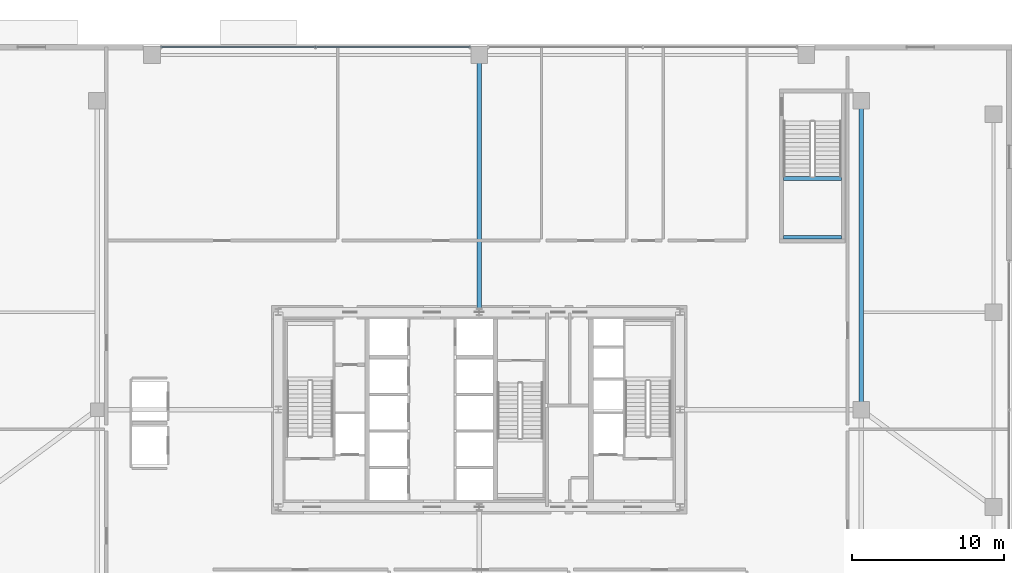
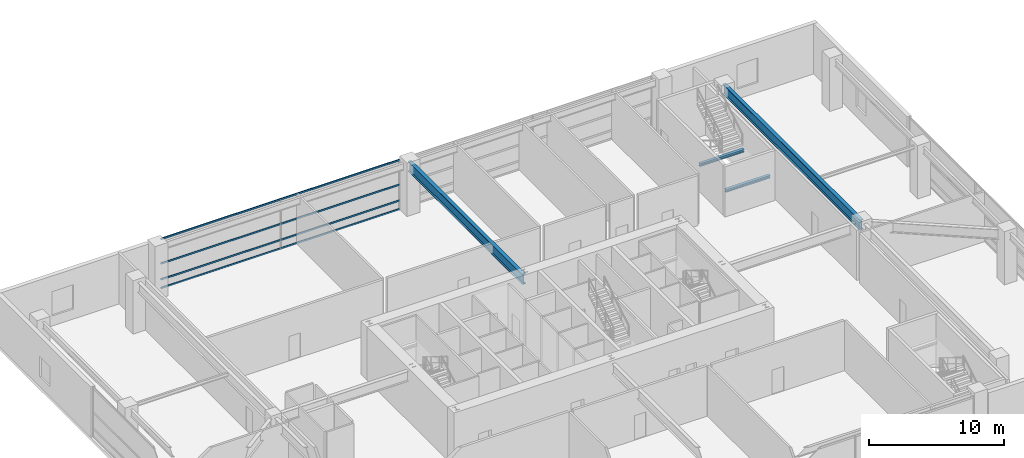
# One storey, part 20 of 37: 4 beams, 4 members, 1 element without a shape of its own.
"""IFC4 building model written with IfcOpenShell, lengths in metres."""

from ifc_helpers import new_model, si_unit, direction, frame, origin, origin_2d, place, context, subcontext, project, spatial, hollow_rectangle, i_section, extrude, source, transform, mapped, material, layer, layer_set, material_profile, profile_set, type_object, element, aggregate, save


model = new_model("IFC4")

# Units and contexts
model_context = context("Model", 3, precision=1e-05, world=origin(), true_north=direction((0.0, 1.0)))
body_context = subcontext(model_context, "Body", "Model", "MODEL_VIEW")
ifc_project = project(units=[si_unit("LENGTHUNIT", "METRE"), si_unit("AREAUNIT", "SQUARE_METRE"), si_unit("VOLUMEUNIT", "CUBIC_METRE"), si_unit("PLANEANGLEUNIT", "RADIAN"), si_unit("MASSUNIT", "GRAM", prefix="KILO"), si_unit("THERMODYNAMICTEMPERATUREUNIT", "KELVIN"), si_unit("POWERUNIT", "WATT")], contexts=[model_context])

# Site, building, storey
site_placement = place(None, origin())
site = spatial("IfcSite", under=ifc_project, at=site_placement, CompositionType="ELEMENT")
building_placement = place(site_placement, origin())
building = spatial("IfcBuilding", under=site, at=building_placement, Name="Yuzanri Waterfront Tower", CompositionType="ELEMENT")
storey_placement = place(building_placement, frame((0.0, 0.0, 5.39990234375)))
storey = spatial("IfcBuildingStorey", under=building, at=storey_placement, Name="L02", CompositionType="ELEMENT", Elevation=5.39990234375)

# Beams
ifc_material_1 = material(Name="Steel Q355B", Category="steel")
ifc_material_profile_1 = material_profile(ifc_material_1, i_section(OverallWidth=0.300048828125, OverallDepth=0.89990234375, WebThickness=0.01611328125, FlangeThickness=0.028076171875, at=origin_2d()), Name="HN 900x300x16x28")
ifc_profile_set_1 = profile_set([ifc_material_profile_1], Name="Steel Q355B")
beam_type_1 = type_object("IfcBeamType", Name="Primary Podium Girder Q355B HN 900x300", PredefinedType="BEAM", material=ifc_profile_set_1)
shared_shape_1 = source(origin(), body_context, "Body", "SweptSolid", [
    extrude(i_section(OverallWidth=0.300048828125, OverallDepth=0.89990234375, WebThickness=0.01611328125, FlangeThickness=0.028076171875, at=origin_2d()), origin(), (0.0, 0.0, 1.0), 20.300048828125),
])
beam_1_placement = place(storey_placement, frame((62.10009765625, 25.800048828125, 4.070068359375), z_axis=(0.0, 1.0, 0.0), x_axis=(-1.0, 0.0, 0.0)))
element("IfcBeam", 1, at=beam_1_placement, inside=storey, type_object=beam_type_1, Name="L02 Podium East Spine N", PredefinedType="BEAM", context=body_context, shape_type="MappedRepresentation", body=[
    mapped(shared_shape_1, transform((0.0, 0.0, 0.0), scale=1.0)),
])
shared_shape_2 = source(origin(), body_context, "Body", "SweptSolid", [
    extrude(i_section(OverallWidth=0.300048828125, OverallDepth=0.89990234375, WebThickness=0.01611328125, FlangeThickness=0.028076171875, at=origin_2d()), origin(), (0.0, 0.0, 1.0), 16.900146484375),
])
beam_2_placement = place(storey_placement, frame((37.0, 32.199951171875, 4.070068359375), z_axis=(0.0, 1.0, 0.0), x_axis=(-1.0, 0.0, 0.0)))
element("IfcBeam", 2, at=beam_2_placement, inside=storey, type_object=beam_type_1, Name="L02 North Core Link Girder", PredefinedType="BEAM", context=body_context, shape_type="MappedRepresentation", body=[
    mapped(shared_shape_2, transform((0.0, 0.0, 0.0), scale=1.0)),
])

# Curtain wall, members
ifc_material_2 = material(Name="Anodized Architectural Bronze", Category="metal")
ifc_layer = layer(ifc_material_2, 0.159912109375)
ifc_layer_set = layer_set([ifc_layer], Name="Anodized Architectural Bronze")
curtain_wall_type = type_object("IfcCurtainWallType", Name="Anodized Bronze Podium Waterfront Double-Height Unitized Curtain Wall 8400", PredefinedType="NOTDEFINED", material=ifc_layer_set)
curtain_wall_placement = place(storey_placement, origin())
curtain_wall = element("IfcCurtainWall", 3, at=curtain_wall_placement, inside=storey, type_object=curtain_wall_type, Name="L02 Curtain Wall CW-L02-N1", PredefinedType="NOTDEFINED")
ifc_material_3 = material(Name="Anodized Architectural Bronze", Category="metal")
ifc_material_profile_2 = material_profile(ifc_material_3, hollow_rectangle(XDim=0.074951171875, YDim=0.14990234375, WallThickness=0.00390625, at=origin_2d()), Name="CWT 75x150")
ifc_profile_set_2 = profile_set([ifc_material_profile_2], Name="Anodized Architectural Bronze")
member_type = type_object("IfcMemberType", Name="Anodized Bronze Primary Curtain-Wall Transom 75x150", PredefinedType="USERDEFINED", material=ifc_profile_set_2)
shared_shape_3 = source(origin(), body_context, "Body", "SweptSolid", [
    extrude(hollow_rectangle(XDim=0.074951171875, YDim=0.14990234375, WallThickness=0.00390625, at=origin_2d()), origin(), (0.0, 0.0, 1.0), 20.35986328125),
])
member_1_placement = place(storey_placement, frame((16.070068359375, 49.6201171875, 0.050048828125), z_axis=(1.0, 0.0, 0.0), x_axis=(0.0, 1.0, 0.0)))
member_1 = element("IfcMember", 4, at=member_1_placement, type_object=member_type, Name="CW-L02-N1 Transom 1", ObjectType="TRANSOM", PredefinedType="USERDEFINED", context=body_context, shape_type="MappedRepresentation", body=[
    mapped(shared_shape_3, transform((0.0, 0.0, 0.0), scale=1.0)),
])
member_2_placement = place(storey_placement, frame((16.070068359375, 49.6201171875, 0.820068359375), z_axis=(1.0, 0.0, 0.0), x_axis=(0.0, 1.0, 0.0)))
member_2 = element("IfcMember", 5, at=member_2_placement, type_object=member_type, Name="CW-L02-N1 Transom 2", ObjectType="TRANSOM", PredefinedType="USERDEFINED", context=body_context, shape_type="MappedRepresentation", body=[
    mapped(shared_shape_3, transform((0.0, 0.0, 0.0), scale=1.0)),
])
member_3_placement = place(storey_placement, frame((16.070068359375, 49.6201171875, 2.260009765625), z_axis=(1.0, 0.0, 0.0), x_axis=(0.0, 1.0, 0.0)))
member_3 = element("IfcMember", 6, at=member_3_placement, type_object=member_type, Name="CW-L02-N1 Transom 3", ObjectType="TRANSOM", PredefinedType="USERDEFINED", context=body_context, shape_type="MappedRepresentation", body=[
    mapped(shared_shape_3, transform((0.0, 0.0, 0.0), scale=1.0)),
])
member_4_placement = place(storey_placement, frame((16.070068359375, 49.6201171875, 4.47021484375), z_axis=(1.0, 0.0, 0.0), x_axis=(0.0, 1.0, 0.0)))
member_4 = element("IfcMember", 7, at=member_4_placement, type_object=member_type, Name="CW-L02-N1 Transom 4", ObjectType="TRANSOM", PredefinedType="USERDEFINED", context=body_context, shape_type="MappedRepresentation", body=[
    mapped(shared_shape_3, transform((0.0, 0.0, 0.0), scale=1.0)),
])
aggregate(curtain_wall, [member_1, member_2, member_3, member_4])

# Beams
ifc_material_4 = material(Name="Steel Q355B", Category="steel")
ifc_material_profile_3 = material_profile(ifc_material_4, i_section(OverallWidth=0.25, OverallDepth=0.25, WebThickness=0.009033203125, FlangeThickness=0.013916015625, at=origin_2d()), Name="HW 250x250x9x14")
ifc_profile_set_3 = profile_set([ifc_material_profile_3], Name="Steel Q355B")
beam_type_2 = type_object("IfcBeamType", Name="Stair Landing Support Beam Q355B HW 250x250", PredefinedType="BEAM", material=ifc_profile_set_3)
shared_shape_4 = source(origin(), body_context, "Body", "SweptSolid", [
    extrude(i_section(OverallWidth=0.25, OverallDepth=0.25, WebThickness=0.009033203125, FlangeThickness=0.013916015625, at=origin_2d()), origin(), (0.0, 0.0, 1.0), 3.800048828125),
])
for number, where, z_axis, x_axis, name in (
    (8, (57.0, 37.1298828125, 2.0751953125), (1.0, 0.0, 0.0), (0.0, 1.0, 0.0), "L02 Stair Landing Support Beam PST-03-L02-L1-1"),
    (9, (57.0, 40.97998046875, 2.0751953125), (1.0, 0.0, 0.0), (0.0, 1.0, 0.0), "L02 Stair Landing Support Beam PST-03-L02-L1-2"),
):
    element("IfcBeam", number, at=place(storey_placement, frame(where, z_axis=z_axis, x_axis=x_axis)), inside=storey, type_object=beam_type_2, Name=name, PredefinedType="BEAM", context=body_context, shape_type="MappedRepresentation", body=[
        mapped(shared_shape_4, transform((0.0, 0.0, 0.0), scale=1.0)),
    ])

save(model, "model.ifc")
